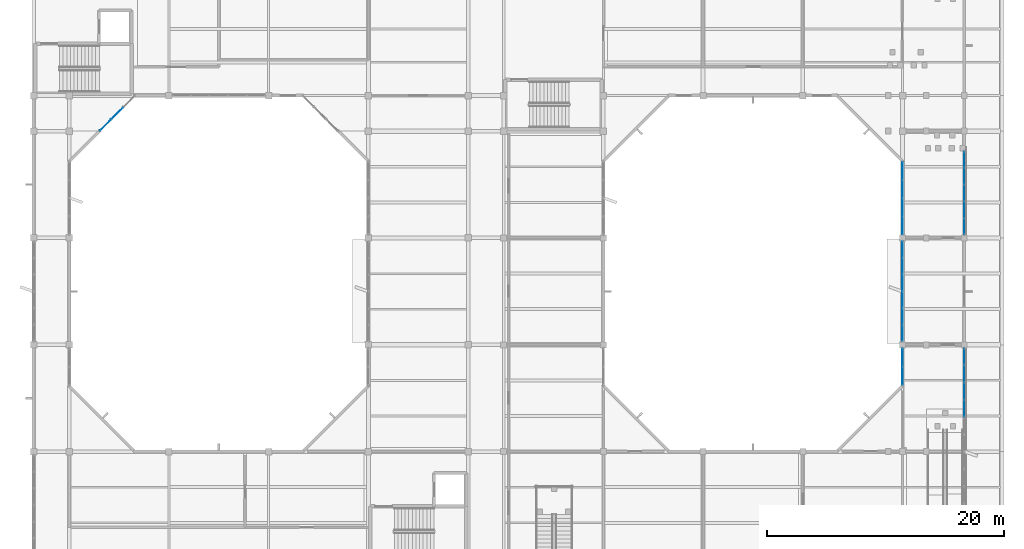
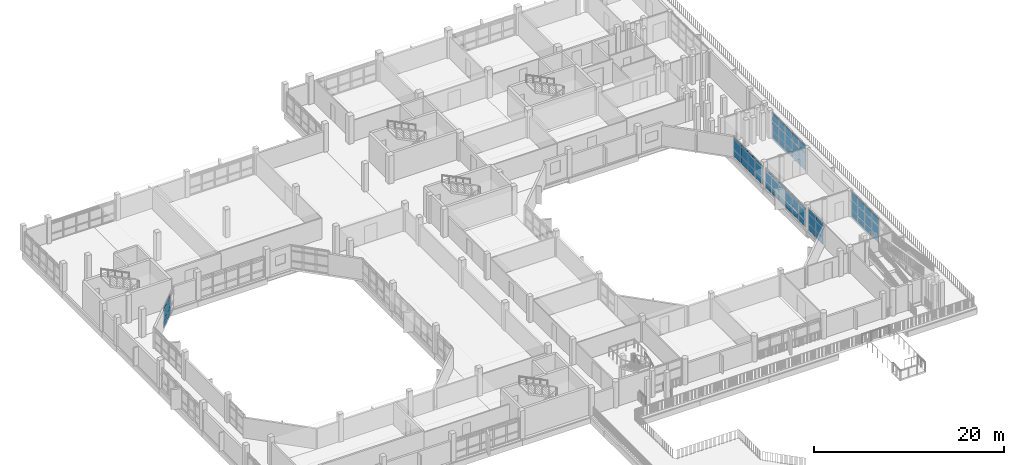
# One storey, part 26 of 51: 69 plates, 6 elements without a shape of their own.
"""IFC4 building model written with IfcOpenShell, lengths in metres."""

import ifcopenshell
import ifcopenshell.guid

model = None  # the IFC model being written
_history = None  # IfcOwnerHistory: only IFC2X3 demands one
_inside = {}  # id of a spatial element -> (the spatial element, [elements in it])
_under = {}  # id of a project, library or spatial element -> (it, [spatial elements below it])
_declared = {}  # id of a project -> (the project, [libraries it declares])
_typed = {}  # id of a type object -> (the type object, [elements of that type])
_made_of = {}  # id of a material, layer set ... -> (it, [elements and type objects made of it])


def new_model(schema):
    """Start an empty IFC model of exactly this schema.

    Asked for "IFC4X3", IfcOpenShell would pick the latest addendum, in which some entities
    have other attributes; the version numbers below select the first issue.
    IFC2X3 requires an IfcOwnerHistory on every rooted entity: one is made here for all.
    """
    global model, _history
    if schema == "IFC4X3":
        model = ifcopenshell.file(schema_version=(4, 3, 0, 0))
    else:
        model = ifcopenshell.file(schema=schema)
    _inside.clear()
    _under.clear()
    _declared.clear()
    _typed.clear()
    _made_of.clear()
    _history = None
    if model.schema == "IFC2X3":
        org = make("IfcOrganization", Name="unknown")
        user = make(
            "IfcPersonAndOrganization",
            ThePerson=make("IfcPerson", FamilyName="unknown"),
            TheOrganization=org,
        )
        app = make(
            "IfcApplication",
            ApplicationDeveloper=org,
            Version="unknown",
            ApplicationFullName="unknown",
            ApplicationIdentifier="unknown",
        )
        _history = make(
            "IfcOwnerHistory",
            OwningUser=user,
            OwningApplication=app,
            ChangeAction="ADDED",
            CreationDate=0,
        )
    return model


def make(cls, **values):
    """One entity of the class cls with the attributes given. An attribute that is None is left unset."""
    return model.create_entity(
        cls, **{name: value for name, value in values.items() if value is not None}
    )


def rooted(cls, **values):
    """An entity with a GlobalId (a new one), such as an element, a storey or a relation."""
    return make(cls, GlobalId=ifcopenshell.guid.new(), OwnerHistory=_history, **values)


def si_unit(unit_type, name, prefix=None):
    """IfcSIUnit, for example si_unit("LENGTHUNIT", "METRE", prefix="MILLI")."""
    return make("IfcSIUnit", UnitType=unit_type, Prefix=prefix, Name=name)


def assignment(units):
    """IfcUnitAssignment: the units of a project."""
    return None if units is None else make("IfcUnitAssignment", Units=units)


def point(xyz):
    """IfcCartesianPoint."""
    return None if xyz is None else make("IfcCartesianPoint", Coordinates=xyz)


def direction(xyz):
    """IfcDirection."""
    return None if xyz is None else make("IfcDirection", DirectionRatios=xyz)


def frame(location, z_axis=None, x_axis=None):
    """IfcAxis2Placement3D, a coordinate frame: its origin and axes. An axis left out is left unset."""
    return make(
        "IfcAxis2Placement3D",
        Location=point(location),
        Axis=direction(z_axis),
        RefDirection=direction(x_axis),
    )


def frame_2d(location, x_axis=None):
    """IfcAxis2Placement2D, a coordinate frame in the plane: its origin and x axis."""
    return make(
        "IfcAxis2Placement2D", Location=point(location), RefDirection=direction(x_axis)
    )


def origin():
    """The frame at (0, 0, 0) with its axes left unset."""
    return frame((0.0, 0.0, 0.0))


def origin_2d():
    """The frame at (0, 0) in the plane with its x axis left unset."""
    return frame_2d((0.0, 0.0))


def place(relative_to, where):
    """IfcLocalPlacement: puts the frame where relative to a parent placement (None: the world)."""
    return make(
        "IfcLocalPlacement", PlacementRelTo=relative_to, RelativePlacement=where
    )


def context(
    kind, dimensions, precision=None, world=None, true_north=None, identifier=None
):
    """IfcGeometricRepresentationContext, for example the 3D "Model" context."""
    return make(
        "IfcGeometricRepresentationContext",
        ContextIdentifier=identifier,
        ContextType=kind,
        CoordinateSpaceDimension=dimensions,
        Precision=precision,
        WorldCoordinateSystem=world,
        TrueNorth=true_north,
    )


def subcontext(parent, identifier, kind, view, scale=None):
    """IfcGeometricRepresentationSubContext, for example "Body" below "Model"."""
    return make(
        "IfcGeometricRepresentationSubContext",
        ContextIdentifier=identifier,
        ContextType=kind,
        ParentContext=parent,
        TargetScale=scale,
        TargetView=view,
    )


def project(units=None, contexts=None):
    """IfcProject with its units and contexts."""
    return rooted(
        "IfcProject",
        Name="project",
        RepresentationContexts=contexts,
        UnitsInContext=assignment(units),
    )


def spatial(cls, under=None, at=None, **own):
    """A site, building, storey or space (cls), placed at a placement, below another one or the project."""
    s = rooted(cls, ObjectPlacement=at, **own)
    if under is not None:
        _under.setdefault(under.id(), (under, []))[1].append(s)
    return s


def profile(cls, at=None, kind="AREA", **sizes):
    """A parametric profile (cls). Its sizes go by their IFC names, for example OverallWidth=200.0."""
    return make(cls, ProfileType=kind, Position=at, **sizes)


def rectangle(**sizes):
    """IfcRectangleProfileDef."""
    return profile("IfcRectangleProfileDef", **sizes)


def extrude(swept, where, along, depth):
    """IfcExtrudedAreaSolid: the profile swept, set in the frame where, extruded along a direction by depth."""
    return make(
        "IfcExtrudedAreaSolid",
        SweptArea=swept,
        Position=where,
        ExtrudedDirection=direction(along),
        Depth=depth,
    )


def shape(context_of_items, identifier, shape_type, items):
    """IfcShapeRepresentation: the items that make up one representation, for example the "Body"."""
    return make(
        "IfcShapeRepresentation",
        ContextOfItems=context_of_items,
        RepresentationIdentifier=identifier,
        RepresentationType=shape_type,
        Items=items,
    )


def material(Name=None, Category=None):
    """IfcMaterial."""
    return make("IfcMaterial", Name=Name, Category=Category)


def layer(
    of_material, thickness, ventilated=None, Name=None, Category=None, Priority=None
):
    """IfcMaterialLayer: one layer of a wall or slab, of a material (None: an air gap)."""
    return make(
        "IfcMaterialLayer",
        Material=of_material,
        LayerThickness=thickness,
        IsVentilated=ventilated,
        Name=Name,
        Category=Category,
        Priority=Priority,
    )


def layer_set(layers, Name=None):
    """IfcMaterialLayerSet."""
    return make("IfcMaterialLayerSet", MaterialLayers=layers, LayerSetName=Name)


def made_of(thing, what):
    """Note that an element or type object is made of a material, layer set ...; save() writes the relation."""
    if what is not None:
        _made_of.setdefault(what.id(), (what, []))[1].append(thing)
    return thing


def type_object(cls, material=None, **own):
    """A type object (cls), such as IfcWallType, which elements share."""
    return made_of(rooted(cls, **own), material)


def element(
    cls,
    number,
    at=None,
    inside=None,
    cuts=None,
    type_object=None,
    material=None,
    context=None,
    identifier="Body",
    shape_type=None,
    held_by="IfcProductDefinitionShape",
    body=None,
    shapes=None,
    **own,
):
    """One element of the class cls, such as IfcWall. Its Tag is "e" and its number.

    at: its placement. inside: the storey or other place that contains it. cuts: it is an
    opening in that element (IfcRelVoidsElement). A single representation is given by context,
    identifier, shape_type and body (its items); several are given by shapes. held_by: the class
    of the entity that holds the representations. save() writes the other relations.
    """
    e = rooted(cls, Tag="e%d" % number, ObjectPlacement=at, **own)
    if body is not None:
        shapes = [shape(context, identifier, shape_type, body)]
    if shapes is not None:
        e.Representation = make(held_by, Representations=shapes)
    if inside is not None:
        _inside.setdefault(inside.id(), (inside, []))[1].append(e)
    if cuts is not None:
        rooted(
            "IfcRelVoidsElement", RelatingBuildingElement=cuts, RelatedOpeningElement=e
        )
    if type_object is not None:
        _typed.setdefault(type_object.id(), (type_object, []))[1].append(e)
    return made_of(e, material)


def aggregate(whole, parts):
    """IfcRelAggregates: a whole, such as a stair, and the parts it consists of."""
    return rooted("IfcRelAggregates", RelatingObject=whole, RelatedObjects=parts)


def save(model, path):
    """Write the relations noted so far, then the file.

    IfcRelAggregates (storeys below a building ...), IfcRelContainedInSpatialStructure (elements
    in a storey), IfcRelDefinesByType, IfcRelAssociatesMaterial and IfcRelDeclares: one each for
    every whole, place, type object, material and project.
    """
    for whole, parts in _under.values():
        aggregate(whole, parts)
    for where, things in _inside.values():
        rooted(
            "IfcRelContainedInSpatialStructure",
            RelatedElements=things,
            RelatingStructure=where,
        )
    for kind, things in _typed.values():
        rooted("IfcRelDefinesByType", RelatedObjects=things, RelatingType=kind)
    for what, things in _made_of.values():
        rooted("IfcRelAssociatesMaterial", RelatedObjects=things, RelatingMaterial=what)
    for by, libraries in _declared.values():
        rooted("IfcRelDeclares", RelatingContext=by, RelatedDefinitions=libraries)
    model.write(path)


model = new_model("IFC4")

# Units and contexts
model_context = context("Model", 3, precision=1e-05, world=origin(), true_north=direction((0.0, 1.0)))
body_context = subcontext(model_context, "Body", "Model", "MODEL_VIEW")
ifc_project = project(units=[si_unit("LENGTHUNIT", "METRE"), si_unit("AREAUNIT", "SQUARE_METRE"), si_unit("VOLUMEUNIT", "CUBIC_METRE"), si_unit("PLANEANGLEUNIT", "RADIAN"), si_unit("MASSUNIT", "GRAM", prefix="KILO")], contexts=[model_context])

# Site, building, storey
site_placement = place(None, origin())
site = spatial("IfcSite", under=ifc_project, at=site_placement, CompositionType="ELEMENT")
building_placement = place(site_placement, origin())
building = spatial("IfcBuilding", under=site, at=building_placement, Name="Vanh Quang Courtyard School", CompositionType="ELEMENT")
storey_placement = place(building_placement, frame((0.0, 0.0, 11.39990234375)))
storey = spatial("IfcBuildingStorey", under=building, at=storey_placement, Name="L03", CompositionType="ELEMENT", Elevation=11.39990234375)

# Curtain wall, plates
ifc_material_1 = material(Name="Thermally broken aluminium unitised curtain wall", Category="aluminium")
curtain_wall_type_1 = type_object("IfcCurtainWallType", Name="CW-SYS-60", PredefinedType="NOTDEFINED", material=ifc_material_1)
curtain_wall_1_placement = place(storey_placement, origin())
curtain_wall_1 = element("IfcCurtainWall", 1, at=curtain_wall_1_placement, inside=storey, type_object=curtain_wall_type_1, Name="Curtain Wall CW-60 (L03)", PredefinedType="NOTDEFINED")
ifc_material_2 = material(Name="Low-E laminated double glazing", Category="glass")
ifc_layer_1 = layer(ifc_material_2, 0.028076171875)
ifc_layer_set_1 = layer_set([ifc_layer_1], Name="Low-E laminated double glazing")
plate_type_1 = type_object("IfcPlateType", Name="CW-PNL-28", PredefinedType="CURTAIN_PANEL", material=ifc_layer_set_1)
plate_1_placement = place(storey_placement, frame((116.199951171875, 49.3935546875, 0.080078125), z_axis=(0.0, 0.0, 1.0), x_axis=(0.0, -1.0, 0.0)))
plate_1 = element("IfcPlate", 2, at=plate_1_placement, type_object=plate_type_1, Name="CW-60 panel 1.1", PredefinedType="CURTAIN_PANEL", context=body_context, shape_type="SweptSolid", body=[
    extrude(rectangle(XDim=1.3369140625, YDim=0.028076171875, at=origin_2d()), origin(), (0.0, 0.0, 1.0), 0.830078125),
])
plate_2_placement = place(storey_placement, frame((116.199951171875, 49.3935546875, 0.990234375), z_axis=(0.0, 0.0, 1.0), x_axis=(0.0, -1.0, 0.0)))
plate_2 = element("IfcPlate", 3, at=plate_2_placement, type_object=plate_type_1, Name="CW-60 panel 1.2", PredefinedType="CURTAIN_PANEL", context=body_context, shape_type="SweptSolid", body=[
    extrude(rectangle(XDim=1.3369140625, YDim=0.028076171875, at=origin_2d()), origin(), (0.0, 0.0, 1.0), 1.219970703125),
])
plate_3_placement = place(storey_placement, frame((116.199951171875, 49.3935546875, 2.2900390625), z_axis=(0.0, 0.0, 1.0), x_axis=(0.0, -1.0, 0.0)))
plate_3 = element("IfcPlate", 4, at=plate_3_placement, type_object=plate_type_1, Name="CW-60 panel 1.3", PredefinedType="CURTAIN_PANEL", context=body_context, shape_type="SweptSolid", body=[
    extrude(rectangle(XDim=1.3369140625, YDim=0.028076171875, at=origin_2d()), origin(), (0.0, 0.0, 1.0), 0.969970703125),
])
plate_4_placement = place(storey_placement, frame((116.199951171875, 47.95654296875, 0.080078125), z_axis=(0.0, 0.0, 1.0), x_axis=(0.0, -1.0, 0.0)))
plate_4 = element("IfcPlate", 5, at=plate_4_placement, type_object=plate_type_1, Name="CW-60 panel 2.1", PredefinedType="CURTAIN_PANEL", context=body_context, shape_type="SweptSolid", body=[
    extrude(rectangle(XDim=1.376953125, YDim=0.028076171875, at=origin_2d()), origin(), (0.0, 0.0, 1.0), 0.830078125),
])
plate_5_placement = place(storey_placement, frame((116.199951171875, 47.95654296875, 0.990234375), z_axis=(0.0, 0.0, 1.0), x_axis=(0.0, -1.0, 0.0)))
plate_5 = element("IfcPlate", 6, at=plate_5_placement, type_object=plate_type_1, Name="CW-60 panel 2.2", PredefinedType="CURTAIN_PANEL", context=body_context, shape_type="SweptSolid", body=[
    extrude(rectangle(XDim=1.376953125, YDim=0.028076171875, at=origin_2d()), origin(), (0.0, 0.0, 1.0), 1.219970703125),
])
plate_6_placement = place(storey_placement, frame((116.199951171875, 47.95654296875, 2.2900390625), z_axis=(0.0, 0.0, 1.0), x_axis=(0.0, -1.0, 0.0)))
plate_6 = element("IfcPlate", 7, at=plate_6_placement, type_object=plate_type_1, Name="CW-60 panel 2.3", PredefinedType="CURTAIN_PANEL", context=body_context, shape_type="SweptSolid", body=[
    extrude(rectangle(XDim=1.376953125, YDim=0.028076171875, at=origin_2d()), origin(), (0.0, 0.0, 1.0), 0.969970703125),
])
plate_7_placement = place(storey_placement, frame((116.199951171875, 46.49951171875, 0.080078125), z_axis=(0.0, 0.0, 1.0), x_axis=(0.0, -1.0, 0.0)))
plate_7 = element("IfcPlate", 8, at=plate_7_placement, type_object=plate_type_1, Name="CW-60 panel 3.1", PredefinedType="CURTAIN_PANEL", context=body_context, shape_type="SweptSolid", body=[
    extrude(rectangle(XDim=1.376953125, YDim=0.028076171875, at=origin_2d()), origin(), (0.0, 0.0, 1.0), 0.830078125),
])
plate_8_placement = place(storey_placement, frame((116.199951171875, 46.49951171875, 0.990234375), z_axis=(0.0, 0.0, 1.0), x_axis=(0.0, -1.0, 0.0)))
plate_8 = element("IfcPlate", 9, at=plate_8_placement, type_object=plate_type_1, Name="CW-60 panel 3.2", PredefinedType="CURTAIN_PANEL", context=body_context, shape_type="SweptSolid", body=[
    extrude(rectangle(XDim=1.376953125, YDim=0.028076171875, at=origin_2d()), origin(), (0.0, 0.0, 1.0), 1.219970703125),
])
plate_9_placement = place(storey_placement, frame((116.199951171875, 46.49951171875, 2.2900390625), z_axis=(0.0, 0.0, 1.0), x_axis=(0.0, -1.0, 0.0)))
plate_9 = element("IfcPlate", 10, at=plate_9_placement, type_object=plate_type_1, Name="CW-60 panel 3.3", PredefinedType="CURTAIN_PANEL", context=body_context, shape_type="SweptSolid", body=[
    extrude(rectangle(XDim=1.376953125, YDim=0.028076171875, at=origin_2d()), origin(), (0.0, 0.0, 1.0), 0.969970703125),
])
plate_10_placement = place(storey_placement, frame((116.199951171875, 45.04248046875, 0.080078125), z_axis=(0.0, 0.0, 1.0), x_axis=(0.0, -1.0, 0.0)))
plate_10 = element("IfcPlate", 11, at=plate_10_placement, type_object=plate_type_1, Name="CW-60 panel 4.1", PredefinedType="CURTAIN_PANEL", context=body_context, shape_type="SweptSolid", body=[
    extrude(rectangle(XDim=1.376953125, YDim=0.028076171875, at=origin_2d()), origin(), (0.0, 0.0, 1.0), 0.830078125),
])
plate_11_placement = place(storey_placement, frame((116.199951171875, 45.04248046875, 0.990234375), z_axis=(0.0, 0.0, 1.0), x_axis=(0.0, -1.0, 0.0)))
plate_11 = element("IfcPlate", 12, at=plate_11_placement, type_object=plate_type_1, Name="CW-60 panel 4.2", PredefinedType="CURTAIN_PANEL", context=body_context, shape_type="SweptSolid", body=[
    extrude(rectangle(XDim=1.376953125, YDim=0.028076171875, at=origin_2d()), origin(), (0.0, 0.0, 1.0), 1.219970703125),
])
plate_12_placement = place(storey_placement, frame((116.199951171875, 45.04248046875, 2.2900390625), z_axis=(0.0, 0.0, 1.0), x_axis=(0.0, -1.0, 0.0)))
plate_12 = element("IfcPlate", 13, at=plate_12_placement, type_object=plate_type_1, Name="CW-60 panel 4.3", PredefinedType="CURTAIN_PANEL", context=body_context, shape_type="SweptSolid", body=[
    extrude(rectangle(XDim=1.376953125, YDim=0.028076171875, at=origin_2d()), origin(), (0.0, 0.0, 1.0), 0.969970703125),
])
aggregate(curtain_wall_1, [plate_1, plate_2, plate_3, plate_4, plate_5, plate_6, plate_7, plate_8, plate_9, plate_10, plate_11, plate_12])

curtain_wall_type_2 = type_object("IfcCurtainWallType", Name="CW-SYS-39", PredefinedType="NOTDEFINED", material=ifc_material_1)
curtain_wall_2_placement = place(storey_placement, origin())
curtain_wall_2 = element("IfcCurtainWall", 14, at=curtain_wall_2_placement, inside=storey, type_object=curtain_wall_type_2, Name="Curtain Wall CW-39 (L03)", PredefinedType="NOTDEFINED")
plate_13_placement = place(storey_placement, frame((44.843994140625, 69.89990234375, 0.0703125), z_axis=(0.0, 0.0, 1.0), x_axis=(-0.707106781187, -0.707106781187, 0.0)))
plate_13 = element("IfcPlate", 15, at=plate_13_placement, type_object=plate_type_1, Name="CW-39 panel 2.1", PredefinedType="CURTAIN_PANEL", context=body_context, shape_type="SweptSolid", body=[
    extrude(rectangle(XDim=1.34423828125, YDim=0.028076171875, at=origin_2d()), origin(), (0.0, 0.0, 1.0), 0.844970703125),
])
plate_14_placement = place(storey_placement, frame((44.843994140625, 69.89990234375, 0.985107421875), z_axis=(0.0, 0.0, 1.0), x_axis=(-0.707106781187, -0.707106781187, 0.0)))
plate_14 = element("IfcPlate", 16, at=plate_14_placement, type_object=plate_type_1, Name="CW-39 panel 2.2", PredefinedType="CURTAIN_PANEL", context=body_context, shape_type="SweptSolid", body=[
    extrude(rectangle(XDim=1.34423828125, YDim=0.028076171875, at=origin_2d()), origin(), (0.0, 0.0, 1.0), 1.22998046875),
])
plate_15_placement = place(storey_placement, frame((44.843994140625, 69.89990234375, 2.28515625), z_axis=(0.0, 0.0, 1.0), x_axis=(-0.707106781187, -0.707106781187, 0.0)))
plate_15 = element("IfcPlate", 17, at=plate_15_placement, type_object=plate_type_1, Name="CW-39 panel 2.3", PredefinedType="CURTAIN_PANEL", context=body_context, shape_type="SweptSolid", body=[
    extrude(rectangle(XDim=1.34423828125, YDim=0.028076171875, at=origin_2d()), origin(), (0.0, 0.0, 1.0), 0.284912109375),
])
plate_16_placement = place(storey_placement, frame((43.8564453125, 68.912353515625, 0.0703125), z_axis=(0.0, 0.0, 1.0), x_axis=(-0.707106781187, -0.707106781187, 0.0)))
plate_16 = element("IfcPlate", 18, at=plate_16_placement, type_object=plate_type_1, Name="CW-39 panel 3.1", PredefinedType="CURTAIN_PANEL", context=body_context, shape_type="SweptSolid", body=[
    extrude(rectangle(XDim=1.309326171875, YDim=0.028076171875, at=origin_2d()), origin(), (0.0, 0.0, 1.0), 0.844970703125),
])
plate_17_placement = place(storey_placement, frame((43.8564453125, 68.912353515625, 0.985107421875), z_axis=(0.0, 0.0, 1.0), x_axis=(-0.707106781187, -0.707106781187, 0.0)))
plate_17 = element("IfcPlate", 19, at=plate_17_placement, type_object=plate_type_1, Name="CW-39 panel 3.2", PredefinedType="CURTAIN_PANEL", context=body_context, shape_type="SweptSolid", body=[
    extrude(rectangle(XDim=1.309326171875, YDim=0.028076171875, at=origin_2d()), origin(), (0.0, 0.0, 1.0), 1.22998046875),
])
plate_18_placement = place(storey_placement, frame((43.8564453125, 68.912353515625, 2.28515625), z_axis=(0.0, 0.0, 1.0), x_axis=(-0.707106781187, -0.707106781187, 0.0)))
plate_18 = element("IfcPlate", 20, at=plate_18_placement, type_object=plate_type_1, Name="CW-39 panel 3.3", PredefinedType="CURTAIN_PANEL", context=body_context, shape_type="SweptSolid", body=[
    extrude(rectangle(XDim=1.309326171875, YDim=0.028076171875, at=origin_2d()), origin(), (0.0, 0.0, 1.0), 0.284912109375),
])
aggregate(curtain_wall_2, [plate_13, plate_14, plate_15, plate_16, plate_17, plate_18])

curtain_wall_type_3 = type_object("IfcCurtainWallType", Name="CW-SYS-50", PredefinedType="NOTDEFINED", material=ifc_material_1)
curtain_wall_3_placement = place(storey_placement, origin())
curtain_wall_3 = element("IfcCurtainWall", 21, at=curtain_wall_3_placement, inside=storey, type_object=curtain_wall_type_3, Name="Curtain Wall CW-50 (L03)", PredefinedType="NOTDEFINED")
plate_19_placement = place(storey_placement, frame((111.0, 51.385009765625, 0.080078125), z_axis=(0.0, 0.0, 1.0), x_axis=(0.0, 1.0, 0.0)))
plate_19 = element("IfcPlate", 22, at=plate_19_placement, type_object=plate_type_1, Name="CW-50 panel 1.1", PredefinedType="CURTAIN_PANEL", context=body_context, shape_type="SweptSolid", body=[
    extrude(rectangle(XDim=1.2939453125, YDim=0.028076171875, at=origin_2d()), origin(), (0.0, 0.0, 1.0), 0.830078125),
])
plate_20_placement = place(storey_placement, frame((111.0, 51.385009765625, 0.990234375), z_axis=(0.0, 0.0, 1.0), x_axis=(0.0, 1.0, 0.0)))
plate_20 = element("IfcPlate", 23, at=plate_20_placement, type_object=plate_type_1, Name="CW-50 panel 1.2", PredefinedType="CURTAIN_PANEL", context=body_context, shape_type="SweptSolid", body=[
    extrude(rectangle(XDim=1.2939453125, YDim=0.028076171875, at=origin_2d()), origin(), (0.0, 0.0, 1.0), 1.219970703125),
])
plate_21_placement = place(storey_placement, frame((111.0, 51.385009765625, 2.2900390625), z_axis=(0.0, 0.0, 1.0), x_axis=(0.0, 1.0, 0.0)))
plate_21 = element("IfcPlate", 24, at=plate_21_placement, type_object=plate_type_1, Name="CW-50 panel 1.3", PredefinedType="CURTAIN_PANEL", context=body_context, shape_type="SweptSolid", body=[
    extrude(rectangle(XDim=1.2939453125, YDim=0.028076171875, at=origin_2d()), origin(), (0.0, 0.0, 1.0), 0.2099609375),
])
plate_22_placement = place(storey_placement, frame((111.0, 52.779052734375, 0.080078125), z_axis=(0.0, 0.0, 1.0), x_axis=(0.0, 1.0, 0.0)))
plate_22 = element("IfcPlate", 25, at=plate_22_placement, type_object=plate_type_1, Name="CW-50 panel 2.1", PredefinedType="CURTAIN_PANEL", context=body_context, shape_type="SweptSolid", body=[
    extrude(rectangle(XDim=1.333984375, YDim=0.028076171875, at=origin_2d()), origin(), (0.0, 0.0, 1.0), 0.830078125),
])
plate_23_placement = place(storey_placement, frame((111.0, 52.779052734375, 0.990234375), z_axis=(0.0, 0.0, 1.0), x_axis=(0.0, 1.0, 0.0)))
plate_23 = element("IfcPlate", 26, at=plate_23_placement, type_object=plate_type_1, Name="CW-50 panel 2.2", PredefinedType="CURTAIN_PANEL", context=body_context, shape_type="SweptSolid", body=[
    extrude(rectangle(XDim=1.333984375, YDim=0.028076171875, at=origin_2d()), origin(), (0.0, 0.0, 1.0), 1.219970703125),
])
plate_24_placement = place(storey_placement, frame((111.0, 52.779052734375, 2.2900390625), z_axis=(0.0, 0.0, 1.0), x_axis=(0.0, 1.0, 0.0)))
plate_24 = element("IfcPlate", 27, at=plate_24_placement, type_object=plate_type_1, Name="CW-50 panel 2.3", PredefinedType="CURTAIN_PANEL", context=body_context, shape_type="SweptSolid", body=[
    extrude(rectangle(XDim=1.333984375, YDim=0.028076171875, at=origin_2d()), origin(), (0.0, 0.0, 1.0), 0.2099609375),
])
plate_25_placement = place(storey_placement, frame((111.0, 54.193115234375, 0.080078125), z_axis=(0.0, 0.0, 1.0), x_axis=(0.0, 1.0, 0.0)))
plate_25 = element("IfcPlate", 28, at=plate_25_placement, type_object=plate_type_1, Name="CW-50 panel 3.1", PredefinedType="CURTAIN_PANEL", context=body_context, shape_type="SweptSolid", body=[
    extrude(rectangle(XDim=1.333984375, YDim=0.028076171875, at=origin_2d()), origin(), (0.0, 0.0, 1.0), 0.830078125),
])
plate_26_placement = place(storey_placement, frame((111.0, 54.193115234375, 0.990234375), z_axis=(0.0, 0.0, 1.0), x_axis=(0.0, 1.0, 0.0)))
plate_26 = element("IfcPlate", 29, at=plate_26_placement, type_object=plate_type_1, Name="CW-50 panel 3.2", PredefinedType="CURTAIN_PANEL", context=body_context, shape_type="SweptSolid", body=[
    extrude(rectangle(XDim=1.333984375, YDim=0.028076171875, at=origin_2d()), origin(), (0.0, 0.0, 1.0), 1.219970703125),
])
plate_27_placement = place(storey_placement, frame((111.0, 54.193115234375, 2.2900390625), z_axis=(0.0, 0.0, 1.0), x_axis=(0.0, 1.0, 0.0)))
plate_27 = element("IfcPlate", 30, at=plate_27_placement, type_object=plate_type_1, Name="CW-50 panel 3.3", PredefinedType="CURTAIN_PANEL", context=body_context, shape_type="SweptSolid", body=[
    extrude(rectangle(XDim=1.333984375, YDim=0.028076171875, at=origin_2d()), origin(), (0.0, 0.0, 1.0), 0.2099609375),
])
plate_28_placement = place(storey_placement, frame((111.0, 55.60693359375, 0.080078125), z_axis=(0.0, 0.0, 1.0), x_axis=(0.0, 1.0, 0.0)))
plate_28 = element("IfcPlate", 31, at=plate_28_placement, type_object=plate_type_1, Name="CW-50 panel 4.1", PredefinedType="CURTAIN_PANEL", context=body_context, shape_type="SweptSolid", body=[
    extrude(rectangle(XDim=1.333984375, YDim=0.028076171875, at=origin_2d()), origin(), (0.0, 0.0, 1.0), 0.830078125),
])
plate_29_placement = place(storey_placement, frame((111.0, 55.60693359375, 0.990234375), z_axis=(0.0, 0.0, 1.0), x_axis=(0.0, 1.0, 0.0)))
plate_29 = element("IfcPlate", 32, at=plate_29_placement, type_object=plate_type_1, Name="CW-50 panel 4.2", PredefinedType="CURTAIN_PANEL", context=body_context, shape_type="SweptSolid", body=[
    extrude(rectangle(XDim=1.333984375, YDim=0.028076171875, at=origin_2d()), origin(), (0.0, 0.0, 1.0), 1.219970703125),
])
plate_30_placement = place(storey_placement, frame((111.0, 55.60693359375, 2.2900390625), z_axis=(0.0, 0.0, 1.0), x_axis=(0.0, 1.0, 0.0)))
plate_30 = element("IfcPlate", 33, at=plate_30_placement, type_object=plate_type_1, Name="CW-50 panel 4.3", PredefinedType="CURTAIN_PANEL", context=body_context, shape_type="SweptSolid", body=[
    extrude(rectangle(XDim=1.333984375, YDim=0.028076171875, at=origin_2d()), origin(), (0.0, 0.0, 1.0), 0.2099609375),
])
plate_31_placement = place(storey_placement, frame((111.0, 57.02099609375, 0.080078125), z_axis=(0.0, 0.0, 1.0), x_axis=(0.0, 1.0, 0.0)))
plate_31 = element("IfcPlate", 34, at=plate_31_placement, type_object=plate_type_1, Name="CW-50 panel 5.1", PredefinedType="CURTAIN_PANEL", context=body_context, shape_type="SweptSolid", body=[
    extrude(rectangle(XDim=1.333984375, YDim=0.028076171875, at=origin_2d()), origin(), (0.0, 0.0, 1.0), 0.830078125),
])
plate_32_placement = place(storey_placement, frame((111.0, 57.02099609375, 0.990234375), z_axis=(0.0, 0.0, 1.0), x_axis=(0.0, 1.0, 0.0)))
plate_32 = element("IfcPlate", 35, at=plate_32_placement, type_object=plate_type_1, Name="CW-50 panel 5.2", PredefinedType="CURTAIN_PANEL", context=body_context, shape_type="SweptSolid", body=[
    extrude(rectangle(XDim=1.333984375, YDim=0.028076171875, at=origin_2d()), origin(), (0.0, 0.0, 1.0), 1.219970703125),
])
plate_33_placement = place(storey_placement, frame((111.0, 57.02099609375, 2.2900390625), z_axis=(0.0, 0.0, 1.0), x_axis=(0.0, 1.0, 0.0)))
plate_33 = element("IfcPlate", 36, at=plate_33_placement, type_object=plate_type_1, Name="CW-50 panel 5.3", PredefinedType="CURTAIN_PANEL", context=body_context, shape_type="SweptSolid", body=[
    extrude(rectangle(XDim=1.333984375, YDim=0.028076171875, at=origin_2d()), origin(), (0.0, 0.0, 1.0), 0.2099609375),
])
plate_34_placement = place(storey_placement, frame((111.0, 58.4150390625, 0.080078125), z_axis=(0.0, 0.0, 1.0), x_axis=(0.0, 1.0, 0.0)))
plate_34 = element("IfcPlate", 37, at=plate_34_placement, type_object=plate_type_1, Name="CW-50 panel 6.1", PredefinedType="CURTAIN_PANEL", context=body_context, shape_type="SweptSolid", body=[
    extrude(rectangle(XDim=1.2939453125, YDim=0.028076171875, at=origin_2d()), origin(), (0.0, 0.0, 1.0), 0.830078125),
])
plate_35_placement = place(storey_placement, frame((111.0, 58.4150390625, 0.990234375), z_axis=(0.0, 0.0, 1.0), x_axis=(0.0, 1.0, 0.0)))
plate_35 = element("IfcPlate", 38, at=plate_35_placement, type_object=plate_type_1, Name="CW-50 panel 6.2", PredefinedType="CURTAIN_PANEL", context=body_context, shape_type="SweptSolid", body=[
    extrude(rectangle(XDim=1.2939453125, YDim=0.028076171875, at=origin_2d()), origin(), (0.0, 0.0, 1.0), 1.219970703125),
])
plate_36_placement = place(storey_placement, frame((111.0, 58.4150390625, 2.2900390625), z_axis=(0.0, 0.0, 1.0), x_axis=(0.0, 1.0, 0.0)))
plate_36 = element("IfcPlate", 39, at=plate_36_placement, type_object=plate_type_1, Name="CW-50 panel 6.3", PredefinedType="CURTAIN_PANEL", context=body_context, shape_type="SweptSolid", body=[
    extrude(rectangle(XDim=1.2939453125, YDim=0.028076171875, at=origin_2d()), origin(), (0.0, 0.0, 1.0), 0.2099609375),
])
aggregate(curtain_wall_3, [plate_19, plate_20, plate_21, plate_22, plate_23, plate_24, plate_25, plate_26, plate_27, plate_28, plate_29, plate_30, plate_31, plate_32, plate_33, plate_34, plate_35, plate_36])

curtain_wall_type_4 = type_object("IfcCurtainWallType", Name="CW-SYS-59", PredefinedType="NOTDEFINED", material=ifc_material_1)
curtain_wall_4_placement = place(storey_placement, origin())
curtain_wall_4 = element("IfcCurtainWall", 40, at=curtain_wall_4_placement, inside=storey, type_object=curtain_wall_type_4, Name="Curtain Wall CW-59 (L03)", PredefinedType="NOTDEFINED")
ifc_layer_2 = layer(ifc_material_2, 0.031982421875)
ifc_layer_set_2 = layer_set([ifc_layer_2], Name="Low-E laminated double glazing")
plate_type_2 = type_object("IfcPlateType", Name="CW-PNL-32", PredefinedType="CURTAIN_PANEL", material=ifc_layer_set_2)
plate_37_placement = place(storey_placement, frame((116.199951171875, 65.99365234375, 0.0703125), z_axis=(0.0, 0.0, 1.0), x_axis=(0.0, -1.0, 0.0)))
plate_37 = element("IfcPlate", 41, at=plate_37_placement, type_object=plate_type_2, Name="CW-59 panel 1.1", PredefinedType="CURTAIN_PANEL", context=body_context, shape_type="SweptSolid", body=[
    extrude(rectangle(XDim=1.306884765625, YDim=0.031982421875, at=origin_2d()), origin(), (0.0, 0.0, 1.0), 0.844970703125),
])
plate_38_placement = place(storey_placement, frame((116.199951171875, 65.99365234375, 0.985107421875), z_axis=(0.0, 0.0, 1.0), x_axis=(0.0, -1.0, 0.0)))
plate_38 = element("IfcPlate", 42, at=plate_38_placement, type_object=plate_type_2, Name="CW-59 panel 1.2", PredefinedType="CURTAIN_PANEL", context=body_context, shape_type="SweptSolid", body=[
    extrude(rectangle(XDim=1.306884765625, YDim=0.031982421875, at=origin_2d()), origin(), (0.0, 0.0, 1.0), 1.22998046875),
])
plate_39_placement = place(storey_placement, frame((116.199951171875, 65.99365234375, 2.28515625), z_axis=(0.0, 0.0, 1.0), x_axis=(0.0, -1.0, 0.0)))
plate_39 = element("IfcPlate", 43, at=plate_39_placement, type_object=plate_type_2, Name="CW-59 panel 1.3", PredefinedType="CURTAIN_PANEL", context=body_context, shape_type="SweptSolid", body=[
    extrude(rectangle(XDim=1.306884765625, YDim=0.031982421875, at=origin_2d()), origin(), (0.0, 0.0, 1.0), 0.985107421875),
])
plate_40_placement = place(storey_placement, frame((116.199951171875, 64.599365234375, 0.0703125), z_axis=(0.0, 0.0, 1.0), x_axis=(0.0, -1.0, 0.0)))
plate_40 = element("IfcPlate", 44, at=plate_40_placement, type_object=plate_type_2, Name="CW-59 panel 2.1", PredefinedType="CURTAIN_PANEL", context=body_context, shape_type="SweptSolid", body=[
    extrude(rectangle(XDim=1.341796875, YDim=0.031982421875, at=origin_2d()), origin(), (0.0, 0.0, 1.0), 0.844970703125),
])
plate_41_placement = place(storey_placement, frame((116.199951171875, 64.599365234375, 0.985107421875), z_axis=(0.0, 0.0, 1.0), x_axis=(0.0, -1.0, 0.0)))
plate_41 = element("IfcPlate", 45, at=plate_41_placement, type_object=plate_type_2, Name="CW-59 panel 2.2", PredefinedType="CURTAIN_PANEL", context=body_context, shape_type="SweptSolid", body=[
    extrude(rectangle(XDim=1.341796875, YDim=0.031982421875, at=origin_2d()), origin(), (0.0, 0.0, 1.0), 1.22998046875),
])
plate_42_placement = place(storey_placement, frame((116.199951171875, 64.599365234375, 2.28515625), z_axis=(0.0, 0.0, 1.0), x_axis=(0.0, -1.0, 0.0)))
plate_42 = element("IfcPlate", 46, at=plate_42_placement, type_object=plate_type_2, Name="CW-59 panel 2.3", PredefinedType="CURTAIN_PANEL", context=body_context, shape_type="SweptSolid", body=[
    extrude(rectangle(XDim=1.341796875, YDim=0.031982421875, at=origin_2d()), origin(), (0.0, 0.0, 1.0), 0.985107421875),
])
plate_43_placement = place(storey_placement, frame((116.199951171875, 63.1875, 0.0703125), z_axis=(0.0, 0.0, 1.0), x_axis=(0.0, -1.0, 0.0)))
plate_43 = element("IfcPlate", 47, at=plate_43_placement, type_object=plate_type_2, Name="CW-59 panel 3.1", PredefinedType="CURTAIN_PANEL", context=body_context, shape_type="SweptSolid", body=[
    extrude(rectangle(XDim=1.341796875, YDim=0.031982421875, at=origin_2d()), origin(), (0.0, 0.0, 1.0), 0.844970703125),
])
plate_44_placement = place(storey_placement, frame((116.199951171875, 63.1875, 0.985107421875), z_axis=(0.0, 0.0, 1.0), x_axis=(0.0, -1.0, 0.0)))
plate_44 = element("IfcPlate", 48, at=plate_44_placement, type_object=plate_type_2, Name="CW-59 panel 3.2", PredefinedType="CURTAIN_PANEL", context=body_context, shape_type="SweptSolid", body=[
    extrude(rectangle(XDim=1.341796875, YDim=0.031982421875, at=origin_2d()), origin(), (0.0, 0.0, 1.0), 1.22998046875),
])
plate_45_placement = place(storey_placement, frame((116.199951171875, 63.1875, 2.28515625), z_axis=(0.0, 0.0, 1.0), x_axis=(0.0, -1.0, 0.0)))
plate_45 = element("IfcPlate", 49, at=plate_45_placement, type_object=plate_type_2, Name="CW-59 panel 3.3", PredefinedType="CURTAIN_PANEL", context=body_context, shape_type="SweptSolid", body=[
    extrude(rectangle(XDim=1.341796875, YDim=0.031982421875, at=origin_2d()), origin(), (0.0, 0.0, 1.0), 0.985107421875),
])
plate_46_placement = place(storey_placement, frame((116.199951171875, 61.775634765625, 0.0703125), z_axis=(0.0, 0.0, 1.0), x_axis=(0.0, -1.0, 0.0)))
plate_46 = element("IfcPlate", 50, at=plate_46_placement, type_object=plate_type_2, Name="CW-59 panel 4.1", PredefinedType="CURTAIN_PANEL", context=body_context, shape_type="SweptSolid", body=[
    extrude(rectangle(XDim=1.341796875, YDim=0.031982421875, at=origin_2d()), origin(), (0.0, 0.0, 1.0), 0.844970703125),
])
plate_47_placement = place(storey_placement, frame((116.199951171875, 61.775634765625, 0.985107421875), z_axis=(0.0, 0.0, 1.0), x_axis=(0.0, -1.0, 0.0)))
plate_47 = element("IfcPlate", 51, at=plate_47_placement, type_object=plate_type_2, Name="CW-59 panel 4.2", PredefinedType="CURTAIN_PANEL", context=body_context, shape_type="SweptSolid", body=[
    extrude(rectangle(XDim=1.341796875, YDim=0.031982421875, at=origin_2d()), origin(), (0.0, 0.0, 1.0), 1.22998046875),
])
plate_48_placement = place(storey_placement, frame((116.199951171875, 61.775634765625, 2.28515625), z_axis=(0.0, 0.0, 1.0), x_axis=(0.0, -1.0, 0.0)))
plate_48 = element("IfcPlate", 52, at=plate_48_placement, type_object=plate_type_2, Name="CW-59 panel 4.3", PredefinedType="CURTAIN_PANEL", context=body_context, shape_type="SweptSolid", body=[
    extrude(rectangle(XDim=1.341796875, YDim=0.031982421875, at=origin_2d()), origin(), (0.0, 0.0, 1.0), 0.985107421875),
])
plate_49_placement = place(storey_placement, frame((116.199951171875, 60.38134765625, 0.0703125), z_axis=(0.0, 0.0, 1.0), x_axis=(0.0, -1.0, 0.0)))
plate_49 = element("IfcPlate", 53, at=plate_49_placement, type_object=plate_type_2, Name="CW-59 panel 5.1", PredefinedType="CURTAIN_PANEL", context=body_context, shape_type="SweptSolid", body=[
    extrude(rectangle(XDim=1.306884765625, YDim=0.031982421875, at=origin_2d()), origin(), (0.0, 0.0, 1.0), 0.844970703125),
])
plate_50_placement = place(storey_placement, frame((116.199951171875, 60.38134765625, 0.985107421875), z_axis=(0.0, 0.0, 1.0), x_axis=(0.0, -1.0, 0.0)))
plate_50 = element("IfcPlate", 54, at=plate_50_placement, type_object=plate_type_2, Name="CW-59 panel 5.2", PredefinedType="CURTAIN_PANEL", context=body_context, shape_type="SweptSolid", body=[
    extrude(rectangle(XDim=1.306884765625, YDim=0.031982421875, at=origin_2d()), origin(), (0.0, 0.0, 1.0), 1.22998046875),
])
plate_51_placement = place(storey_placement, frame((116.199951171875, 60.38134765625, 2.28515625), z_axis=(0.0, 0.0, 1.0), x_axis=(0.0, -1.0, 0.0)))
plate_51 = element("IfcPlate", 55, at=plate_51_placement, type_object=plate_type_2, Name="CW-59 panel 5.3", PredefinedType="CURTAIN_PANEL", context=body_context, shape_type="SweptSolid", body=[
    extrude(rectangle(XDim=1.306884765625, YDim=0.031982421875, at=origin_2d()), origin(), (0.0, 0.0, 1.0), 0.985107421875),
])
aggregate(curtain_wall_4, [plate_37, plate_38, plate_39, plate_40, plate_41, plate_42, plate_43, plate_44, plate_45, plate_46, plate_47, plate_48, plate_49, plate_50, plate_51])

curtain_wall_type_5 = type_object("IfcCurtainWallType", Name="CW-SYS-45", PredefinedType="NOTDEFINED", material=ifc_material_1)
curtain_wall_5_placement = place(storey_placement, origin())
curtain_wall_5 = element("IfcCurtainWall", 56, at=curtain_wall_5_placement, inside=storey, type_object=curtain_wall_type_5, Name="Curtain Wall CW-45 (L03)", PredefinedType="NOTDEFINED")
plate_52_placement = place(storey_placement, frame((111.0, 47.760986328125, 0.0703125), z_axis=(0.0, 0.0, 1.0), x_axis=(0.0, 1.0, 0.0)))
plate_52 = element("IfcPlate", 57, at=plate_52_placement, type_object=plate_type_2, Name="CW-45 panel 1.1", PredefinedType="CURTAIN_PANEL", context=body_context, shape_type="SweptSolid", body=[
    extrude(rectangle(XDim=1.493896484375, YDim=0.031982421875, at=origin_2d()), origin(), (0.0, 0.0, 1.0), 0.844970703125),
])
plate_53_placement = place(storey_placement, frame((111.0, 47.760986328125, 0.985107421875), z_axis=(0.0, 0.0, 1.0), x_axis=(0.0, 1.0, 0.0)))
plate_53 = element("IfcPlate", 58, at=plate_53_placement, type_object=plate_type_2, Name="CW-45 panel 1.2", PredefinedType="CURTAIN_PANEL", context=body_context, shape_type="SweptSolid", body=[
    extrude(rectangle(XDim=1.493896484375, YDim=0.031982421875, at=origin_2d()), origin(), (0.0, 0.0, 1.0), 1.22998046875),
])
plate_54_placement = place(storey_placement, frame((111.0, 47.760986328125, 2.28515625), z_axis=(0.0, 0.0, 1.0), x_axis=(0.0, 1.0, 0.0)))
plate_54 = element("IfcPlate", 59, at=plate_54_placement, type_object=plate_type_2, Name="CW-45 panel 1.3", PredefinedType="CURTAIN_PANEL", context=body_context, shape_type="SweptSolid", body=[
    extrude(rectangle(XDim=1.493896484375, YDim=0.031982421875, at=origin_2d()), origin(), (0.0, 0.0, 1.0), 0.56494140625),
])
plate_55_placement = place(storey_placement, frame((111.0, 49.324951171875, 0.0703125), z_axis=(0.0, 0.0, 1.0), x_axis=(0.0, 1.0, 0.0)))
plate_55 = element("IfcPlate", 60, at=plate_55_placement, type_object=plate_type_2, Name="CW-45 panel 2.1", PredefinedType="CURTAIN_PANEL", context=body_context, shape_type="SweptSolid", body=[
    extrude(rectangle(XDim=1.493896484375, YDim=0.031982421875, at=origin_2d()), origin(), (0.0, 0.0, 1.0), 0.844970703125),
])
plate_56_placement = place(storey_placement, frame((111.0, 49.324951171875, 0.985107421875), z_axis=(0.0, 0.0, 1.0), x_axis=(0.0, 1.0, 0.0)))
plate_56 = element("IfcPlate", 61, at=plate_56_placement, type_object=plate_type_2, Name="CW-45 panel 2.2", PredefinedType="CURTAIN_PANEL", context=body_context, shape_type="SweptSolid", body=[
    extrude(rectangle(XDim=1.493896484375, YDim=0.031982421875, at=origin_2d()), origin(), (0.0, 0.0, 1.0), 1.22998046875),
])
plate_57_placement = place(storey_placement, frame((111.0, 49.324951171875, 2.28515625), z_axis=(0.0, 0.0, 1.0), x_axis=(0.0, 1.0, 0.0)))
plate_57 = element("IfcPlate", 62, at=plate_57_placement, type_object=plate_type_2, Name="CW-45 panel 2.3", PredefinedType="CURTAIN_PANEL", context=body_context, shape_type="SweptSolid", body=[
    extrude(rectangle(XDim=1.493896484375, YDim=0.031982421875, at=origin_2d()), origin(), (0.0, 0.0, 1.0), 0.56494140625),
])
aggregate(curtain_wall_5, [plate_52, plate_53, plate_54, plate_55, plate_56, plate_57])

curtain_wall_type_6 = type_object("IfcCurtainWallType", Name="CW-SYS-44", PredefinedType="NOTDEFINED", material=ifc_material_1)
curtain_wall_6_placement = place(storey_placement, origin())
curtain_wall_6 = element("IfcCurtainWall", 63, at=curtain_wall_6_placement, inside=storey, type_object=curtain_wall_type_6, Name="Curtain Wall CW-44 (L03)", PredefinedType="NOTDEFINED")
plate_58_placement = place(storey_placement, frame((111.0, 60.44775390625, 0.06005859375), z_axis=(0.0, 0.0, 1.0), x_axis=(0.0, 1.0, 0.0)))
plate_58 = element("IfcPlate", 64, at=plate_58_placement, type_object=plate_type_2, Name="CW-44 panel 1.1", PredefinedType="CURTAIN_PANEL", context=body_context, shape_type="SweptSolid", body=[
    extrude(rectangle(XDim=1.45947265625, YDim=0.031982421875, at=origin_2d()), origin(), (0.0, 0.0, 1.0), 0.860107421875),
])
plate_59_placement = place(storey_placement, frame((111.0, 60.44775390625, 0.97998046875), z_axis=(0.0, 0.0, 1.0), x_axis=(0.0, 1.0, 0.0)))
plate_59 = element("IfcPlate", 65, at=plate_59_placement, type_object=plate_type_2, Name="CW-44 panel 1.2", PredefinedType="CURTAIN_PANEL", context=body_context, shape_type="SweptSolid", body=[
    extrude(rectangle(XDim=1.45947265625, YDim=0.031982421875, at=origin_2d()), origin(), (0.0, 0.0, 1.0), 1.239990234375),
])
plate_60_placement = place(storey_placement, frame((111.0, 60.44775390625, 2.2802734375), z_axis=(0.0, 0.0, 1.0), x_axis=(0.0, 1.0, 0.0)))
plate_60 = element("IfcPlate", 66, at=plate_60_placement, type_object=plate_type_2, Name="CW-44 panel 1.3", PredefinedType="CURTAIN_PANEL", context=body_context, shape_type="SweptSolid", body=[
    extrude(rectangle(XDim=1.45947265625, YDim=0.031982421875, at=origin_2d()), origin(), (0.0, 0.0, 1.0), 0.239990234375),
])
plate_61_placement = place(storey_placement, frame((111.0, 61.982177734375, 0.06005859375), z_axis=(0.0, 0.0, 1.0), x_axis=(0.0, 1.0, 0.0)))
plate_61 = element("IfcPlate", 67, at=plate_61_placement, type_object=plate_type_2, Name="CW-44 panel 2.1", PredefinedType="CURTAIN_PANEL", context=body_context, shape_type="SweptSolid", body=[
    extrude(rectangle(XDim=1.489501953125, YDim=0.031982421875, at=origin_2d()), origin(), (0.0, 0.0, 1.0), 0.860107421875),
])
plate_62_placement = place(storey_placement, frame((111.0, 61.982177734375, 0.97998046875), z_axis=(0.0, 0.0, 1.0), x_axis=(0.0, 1.0, 0.0)))
plate_62 = element("IfcPlate", 68, at=plate_62_placement, type_object=plate_type_2, Name="CW-44 panel 2.2", PredefinedType="CURTAIN_PANEL", context=body_context, shape_type="SweptSolid", body=[
    extrude(rectangle(XDim=1.489501953125, YDim=0.031982421875, at=origin_2d()), origin(), (0.0, 0.0, 1.0), 1.239990234375),
])
plate_63_placement = place(storey_placement, frame((111.0, 61.982177734375, 2.2802734375), z_axis=(0.0, 0.0, 1.0), x_axis=(0.0, 1.0, 0.0)))
plate_63 = element("IfcPlate", 69, at=plate_63_placement, type_object=plate_type_2, Name="CW-44 panel 2.3", PredefinedType="CURTAIN_PANEL", context=body_context, shape_type="SweptSolid", body=[
    extrude(rectangle(XDim=1.489501953125, YDim=0.031982421875, at=origin_2d()), origin(), (0.0, 0.0, 1.0), 0.239990234375),
])
plate_64_placement = place(storey_placement, frame((111.0, 63.53173828125, 0.06005859375), z_axis=(0.0, 0.0, 1.0), x_axis=(0.0, 1.0, 0.0)))
plate_64 = element("IfcPlate", 70, at=plate_64_placement, type_object=plate_type_2, Name="CW-44 panel 3.1", PredefinedType="CURTAIN_PANEL", context=body_context, shape_type="SweptSolid", body=[
    extrude(rectangle(XDim=1.489501953125, YDim=0.031982421875, at=origin_2d()), origin(), (0.0, 0.0, 1.0), 0.860107421875),
])
plate_65_placement = place(storey_placement, frame((111.0, 63.53173828125, 0.97998046875), z_axis=(0.0, 0.0, 1.0), x_axis=(0.0, 1.0, 0.0)))
plate_65 = element("IfcPlate", 71, at=plate_65_placement, type_object=plate_type_2, Name="CW-44 panel 3.2", PredefinedType="CURTAIN_PANEL", context=body_context, shape_type="SweptSolid", body=[
    extrude(rectangle(XDim=1.489501953125, YDim=0.031982421875, at=origin_2d()), origin(), (0.0, 0.0, 1.0), 1.239990234375),
])
plate_66_placement = place(storey_placement, frame((111.0, 63.53173828125, 2.2802734375), z_axis=(0.0, 0.0, 1.0), x_axis=(0.0, 1.0, 0.0)))
plate_66 = element("IfcPlate", 72, at=plate_66_placement, type_object=plate_type_2, Name="CW-44 panel 3.3", PredefinedType="CURTAIN_PANEL", context=body_context, shape_type="SweptSolid", body=[
    extrude(rectangle(XDim=1.489501953125, YDim=0.031982421875, at=origin_2d()), origin(), (0.0, 0.0, 1.0), 0.239990234375),
])
plate_67_placement = place(storey_placement, frame((111.0, 65.066162109375, 0.06005859375), z_axis=(0.0, 0.0, 1.0), x_axis=(0.0, 1.0, 0.0)))
plate_67 = element("IfcPlate", 73, at=plate_67_placement, type_object=plate_type_2, Name="CW-44 panel 4.1", PredefinedType="CURTAIN_PANEL", context=body_context, shape_type="SweptSolid", body=[
    extrude(rectangle(XDim=1.45947265625, YDim=0.031982421875, at=origin_2d()), origin(), (0.0, 0.0, 1.0), 0.860107421875),
])
plate_68_placement = place(storey_placement, frame((111.0, 65.066162109375, 0.97998046875), z_axis=(0.0, 0.0, 1.0), x_axis=(0.0, 1.0, 0.0)))
plate_68 = element("IfcPlate", 74, at=plate_68_placement, type_object=plate_type_2, Name="CW-44 panel 4.2", PredefinedType="CURTAIN_PANEL", context=body_context, shape_type="SweptSolid", body=[
    extrude(rectangle(XDim=1.45947265625, YDim=0.031982421875, at=origin_2d()), origin(), (0.0, 0.0, 1.0), 1.239990234375),
])
plate_69_placement = place(storey_placement, frame((111.0, 65.066162109375, 2.2802734375), z_axis=(0.0, 0.0, 1.0), x_axis=(0.0, 1.0, 0.0)))
plate_69 = element("IfcPlate", 75, at=plate_69_placement, type_object=plate_type_2, Name="CW-44 panel 4.3", PredefinedType="CURTAIN_PANEL", context=body_context, shape_type="SweptSolid", body=[
    extrude(rectangle(XDim=1.45947265625, YDim=0.031982421875, at=origin_2d()), origin(), (0.0, 0.0, 1.0), 0.239990234375),
])
aggregate(curtain_wall_6, [plate_58, plate_59, plate_60, plate_61, plate_62, plate_63, plate_64, plate_65, plate_66, plate_67, plate_68, plate_69])

save(model, "model.ifc")
